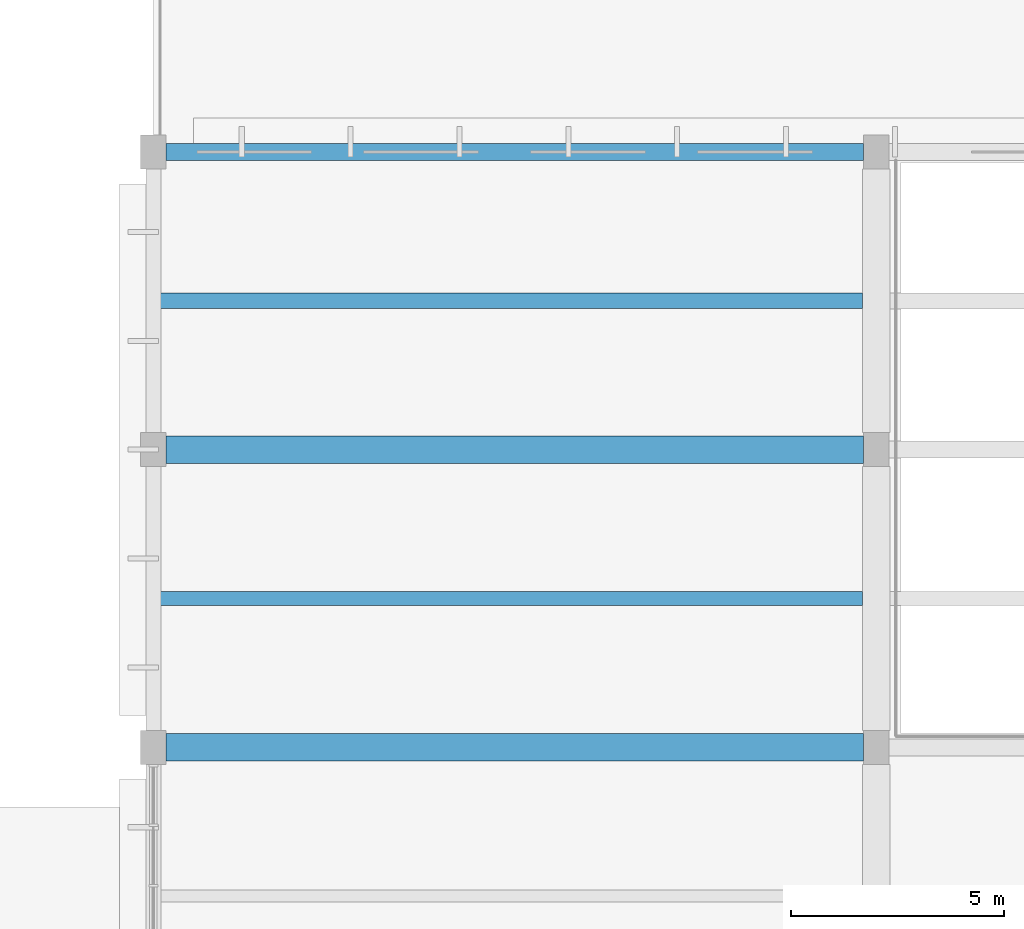
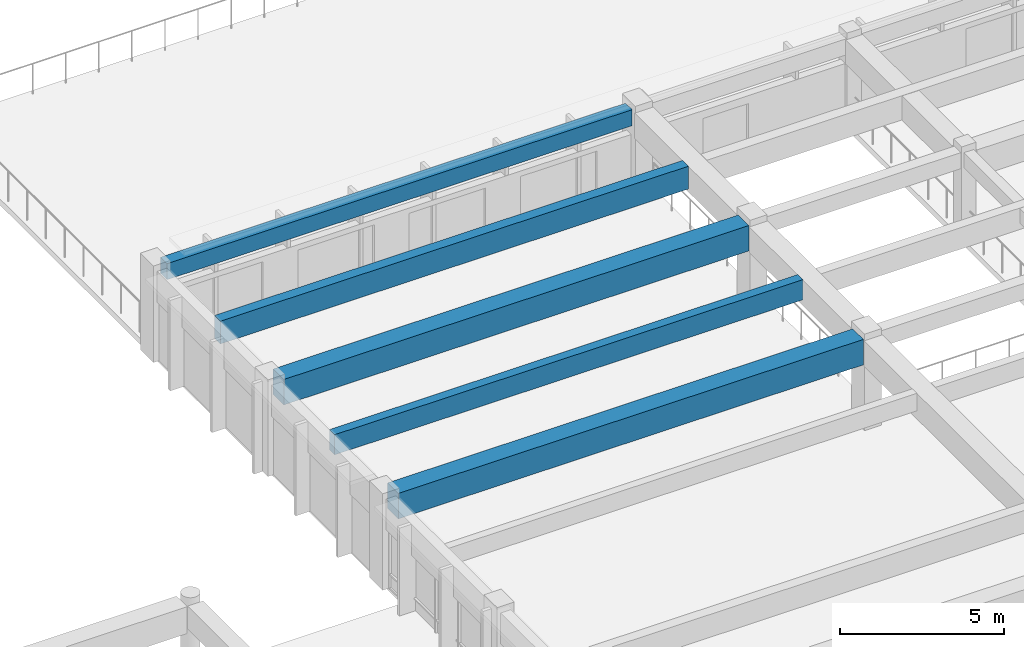
# One storey, part 27 of 155: 5 beams.
"""IFC4 building model written with IfcOpenShell, lengths in metres."""

from ifc_helpers import new_model, si_unit, direction, frame, origin, origin_2d, place, context, subcontext, project, spatial, rectangle, extrude, material, material_profile, profile_set, type_object, element, save


model = new_model("IFC4")

# Units and contexts
model_context = context("Model", 3, precision=1e-05, world=origin(), true_north=direction((0.0, 1.0)))
body_context = subcontext(model_context, "Body", "Model", "MODEL_VIEW")
ifc_project = project(units=[si_unit("LENGTHUNIT", "METRE"), si_unit("AREAUNIT", "SQUARE_METRE"), si_unit("VOLUMEUNIT", "CUBIC_METRE"), si_unit("PLANEANGLEUNIT", "RADIAN"), si_unit("MASSUNIT", "GRAM", prefix="KILO")], contexts=[model_context])

# Site, building, storey
site_placement = place(None, origin())
site = spatial("IfcSite", under=ifc_project, at=site_placement, CompositionType="ELEMENT")
building_placement = place(site_placement, origin())
building = spatial("IfcBuilding", under=site, at=building_placement, Name="Larkveld Mobility Hub", CompositionType="ELEMENT")
storey_placement = place(building_placement, frame((0.0, 0.0, 8.39990234375)))
storey = spatial("IfcBuildingStorey", under=building, at=storey_placement, Name="L02", CompositionType="ELEMENT", Elevation=8.39990234375)

# Beams
ifc_material_1 = material(Name="Precast concrete C50/60", Category="concrete")
ifc_material_profile_1 = material_profile(ifc_material_1, rectangle(XDim=0.320068359375, YDim=0.75, at=origin_2d()), Name="PC DT 320x750")
ifc_profile_set_1 = profile_set([ifc_material_profile_1], Name="Precast concrete C50/60")
beam_type_1 = type_object("IfcBeamType", Name="BM-DT3275", PredefinedType="T_BEAM", material=ifc_profile_set_1)
beam_1_placement = place(storey_placement, frame((112.169921875, 101.5, 2.9951171875), z_axis=(1.0, 0.0, 0.0), x_axis=(0.0, 1.0, 0.0)))
element("IfcBeam", 1, at=beam_1_placement, inside=storey, type_object=beam_type_1, Name="Precast Double-Tee Stem L02-1103", PredefinedType="T_BEAM", context=body_context, shape_type="SweptSolid", body=[
    extrude(rectangle(XDim=0.320068359375, YDim=0.75, at=origin_2d()), origin(), (0.0, 0.0, 1.0), 16.510009765625),
])
ifc_material_profile_2 = material_profile(ifc_material_1, rectangle(XDim=0.360107421875, YDim=0.85009765625, at=origin_2d()), Name="PC DT 360x850")
ifc_profile_set_2 = profile_set([ifc_material_profile_2], Name="Precast concrete C50/60")
beam_type_2 = type_object("IfcBeamType", Name="BM-DT3685", PredefinedType="T_BEAM", material=ifc_profile_set_2)
beam_2_placement = place(storey_placement, frame((112.169921875, 108.5, 2.945068359375), z_axis=(1.0, 0.0, 0.0), x_axis=(0.0, 1.0, 0.0)))
element("IfcBeam", 2, at=beam_2_placement, inside=storey, type_object=beam_type_2, Name="Precast Double-Tee Stem L02-1106", PredefinedType="T_BEAM", context=body_context, shape_type="SweptSolid", body=[
    extrude(rectangle(XDim=0.360107421875, YDim=0.85009765625, at=origin_2d()), origin(), (0.0, 0.0, 1.0), 16.510009765625),
])
ifc_material_profile_3 = material_profile(ifc_material_1, rectangle(XDim=0.64990234375, YDim=0.949951171875, at=origin_2d()), Name="PC ITB 650x950")
ifc_profile_set_3 = profile_set([ifc_material_profile_3], Name="Precast concrete C50/60")
beam_type_3 = type_object("IfcBeamType", Name="BM-ITB6595", PredefinedType="T_BEAM", material=ifc_profile_set_3)
for number, where, z_axis, x_axis, name in (
    (3, (112.300048828125, 98.0, 2.885009765625), (1.0, 0.0, 0.0), (0.0, 1.0, 0.0), "Primary E-W Girder L02-0548"),
    (4, (112.300048828125, 105.0, 2.885009765625), (1.0, 0.0, 0.0), (0.0, 1.0, 0.0), "Primary E-W Girder L02-0552"),
):
    element("IfcBeam", number, at=place(storey_placement, frame(where, z_axis=z_axis, x_axis=x_axis)), inside=storey, type_object=beam_type_3, Name=name, PredefinedType="T_BEAM", context=body_context, shape_type="SweptSolid", body=[
        extrude(rectangle(XDim=0.64990234375, YDim=0.949951171875, at=origin_2d()), origin(), (0.0, 0.0, 1.0), 16.39990234375),
    ])
ifc_material_2 = material(Name="Concrete C40/50", Category="concrete")
ifc_material_profile_4 = material_profile(ifc_material_2, rectangle(XDim=0.39990234375, YDim=0.60009765625, at=origin_2d()), Name="RC BM 400x600")
ifc_profile_set_4 = profile_set([ifc_material_profile_4], Name="Concrete C40/50")
beam_type_4 = type_object("IfcBeamType", Name="BM-RC4060", PredefinedType="BEAM", material=ifc_profile_set_4)
beam_3_placement = place(storey_placement, frame((112.300048828125, 112.0, 3.06005859375), z_axis=(1.0, 0.0, 0.0), x_axis=(0.0, 1.0, 0.0)))
element("IfcBeam", 5, at=beam_3_placement, inside=storey, type_object=beam_type_4, Name="Primary E-W Girder L02-0566", PredefinedType="BEAM", context=body_context, shape_type="SweptSolid", body=[
    extrude(rectangle(XDim=0.39990234375, YDim=0.60009765625, at=origin_2d()), origin(), (0.0, 0.0, 1.0), 16.39990234375),
])

save(model, "model.ifc")
